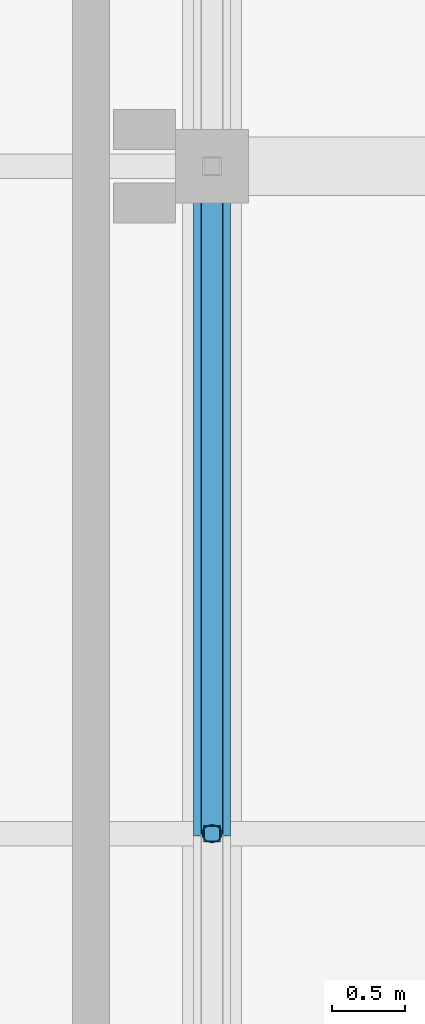
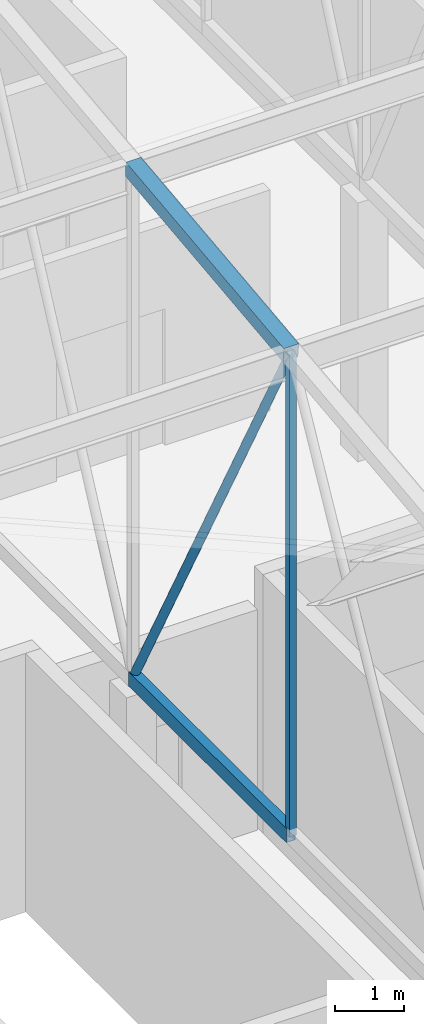
# One storey, part 118 of 500: 4 members.
"""IFC4 building model written with IfcOpenShell, lengths in metres."""

from ifc_helpers import new_model, si_unit, direction, frame, origin, origin_2d, place, context, subcontext, project, spatial, hollow_rectangle, hollow_circle, extrude, material, material_profile, profile_set, type_object, element, save


model = new_model("IFC4")

# Units and contexts
model_context = context("Model", 3, precision=1e-05, world=origin(), true_north=direction((0.0, 1.0)))
body_context = subcontext(model_context, "Body", "Model", "MODEL_VIEW")
ifc_project = project(units=[si_unit("LENGTHUNIT", "METRE"), si_unit("AREAUNIT", "SQUARE_METRE"), si_unit("VOLUMEUNIT", "CUBIC_METRE"), si_unit("PLANEANGLEUNIT", "RADIAN"), si_unit("MASSUNIT", "GRAM", prefix="KILO")], contexts=[model_context])

# Site, building, storey
site_placement = place(None, origin())
site = spatial("IfcSite", under=ifc_project, at=site_placement, CompositionType="ELEMENT")
building_placement = place(site_placement, origin())
building = spatial("IfcBuilding", under=site, at=building_placement, Name="Shirokan Park Arena", CompositionType="ELEMENT")
storey_placement = place(building_placement, frame((0.0, 0.0, 29.1201171875)))
storey = spatial("IfcBuildingStorey", under=building, at=storey_placement, Name="L06", CompositionType="ELEMENT", Elevation=29.1201171875)

# Members
ifc_material = material(Name="Steel ASTM A500 Grade C", Category="steel")
ifc_material_profile_1 = material_profile(ifc_material, hollow_rectangle(XDim=0.152099609375, YDim=0.25390625, WallThickness=0.009521484375, at=origin_2d()), Name="HSS254X152.4X9.5")
ifc_profile_set_1 = profile_set([ifc_material_profile_1], Name="Steel ASTM A500 Grade C")
member_type_1 = type_object("IfcMemberType", Name="Bottom chord HSS254X152.4X9.5", PredefinedType="CHORD", material=ifc_profile_set_1)
member_1_placement = place(storey_placement, frame((118.300048828125, 4.550048828125, 4.677001953125), z_axis=(0.0, 1.0, 0.0), x_axis=(-1.0, 0.0, 0.0)))
element("IfcMember", 1, at=member_1_placement, inside=storey, type_object=member_type_1, Name="Truss T14 bottom chord 4", PredefinedType="CHORD", context=body_context, shape_type="SweptSolid", body=[
    extrude(hollow_rectangle(XDim=0.152099609375, YDim=0.25390625, WallThickness=0.009521484375, at=origin_2d()), origin(), (0.0, 0.0, 1.0), 4.550048828125),
])
ifc_material_profile_2 = material_profile(ifc_material, hollow_rectangle(XDim=0.25390625, YDim=0.25390625, WallThickness=0.009521484375, at=origin_2d()), Name="HSS254X254X9.5")
ifc_profile_set_2 = profile_set([ifc_material_profile_2], Name="Steel ASTM A500 Grade C")
member_type_2 = type_object("IfcMemberType", Name="Top chord HSS254X254X9.5", PredefinedType="CHORD", material=ifc_profile_set_2)
member_2_placement = place(storey_placement, frame((118.300048828125, 4.550048828125, 13.142822265625), z_axis=(0.0, 0.993532328996, 0.113549598152), x_axis=(-1.0, 0.0, 0.0)))
element("IfcMember", 2, at=member_2_placement, inside=storey, type_object=member_type_2, Name="Truss T14 top chord 4", PredefinedType="CHORD", context=body_context, shape_type="SweptSolid", body=[
    extrude(hollow_rectangle(XDim=0.25390625, YDim=0.25390625, WallThickness=0.009521484375, at=origin_2d()), origin(), (0.0, 0.0, 1.0), 4.57958984375),
])
ifc_material_profile_3 = material_profile(ifc_material, hollow_circle(Radius=0.070556640625, WallThickness=0.006591796875, at=origin_2d()), Name="HSS141.3X6.6")
ifc_profile_set_3 = profile_set([ifc_material_profile_3], Name="Steel ASTM A500 Grade C")
member_type_3 = type_object("IfcMemberType", Name="Truss diagonal HSS141.3X6.6", PredefinedType="BRACE", material=ifc_profile_set_3)
member_3_placement = place(storey_placement, frame((118.300048828125, 4.550048828125, 13.142822265625), z_axis=(0.0, 0.473416507165, -0.880838697347), x_axis=(-1.0, 0.0, 0.0)))
element("IfcMember", 3, at=member_3_placement, inside=storey, type_object=member_type_3, Name="Truss T14 diagonal 4", PredefinedType="BRACE", context=body_context, shape_type="SweptSolid", body=[
    extrude(hollow_circle(Radius=0.070556640625, WallThickness=0.006591796875, at=origin_2d()), origin(), (0.0, 0.0, 1.0), 9.611083984375),
])
ifc_material_profile_4 = material_profile(ifc_material, hollow_rectangle(XDim=0.114013671875, YDim=0.114013671875, WallThickness=0.00634765625, at=origin_2d()), Name="HSS114.3X114.3X6.4")
ifc_profile_set_4 = profile_set([ifc_material_profile_4], Name="Steel ASTM A500 Grade C")
member_type_4 = type_object("IfcMemberType", Name="Truss post HSS114.3X114.3X6.4", PredefinedType="POST", material=ifc_profile_set_4)
member_4_placement = place(storey_placement, frame((118.300048828125, 4.550048828125, 4.677001953125), z_axis=(0.0, 0.0, 1.0), x_axis=(1.0, 0.0, 0.0)))
element("IfcMember", 4, at=member_4_placement, inside=storey, type_object=member_type_4, Name="Truss T14 post 4", PredefinedType="POST", context=body_context, shape_type="SweptSolid", body=[
    extrude(hollow_rectangle(XDim=0.114013671875, YDim=0.114013671875, WallThickness=0.00634765625, at=origin_2d()), origin(), (0.0, 0.0, 1.0), 8.4658203125),
])

save(model, "model.ifc")
